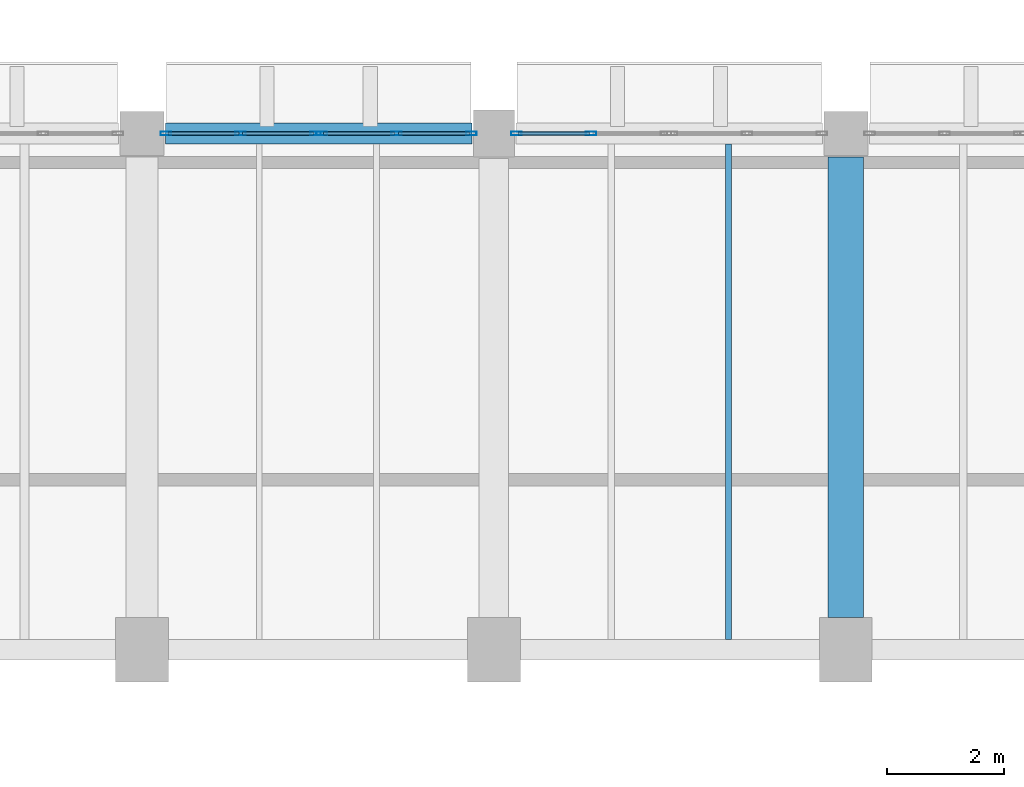
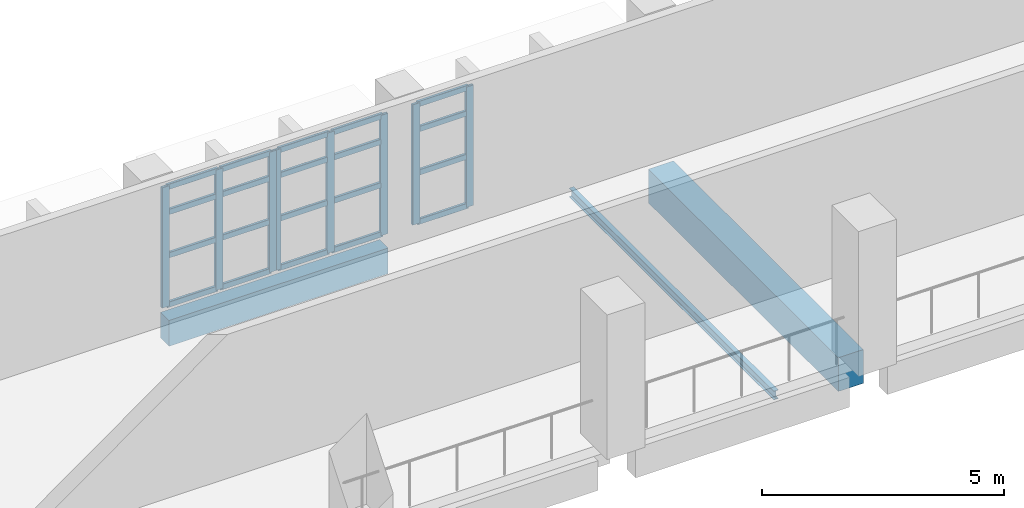
# One storey, part 41 of 80: 28 members, 3 beams, 3 elements without a shape of their own.
"""IFC4 building model written with IfcOpenShell, lengths in metres."""

from ifc_helpers import new_model, si_unit, direction, frame, origin, origin_2d, place, context, subcontext, project, spatial, rectangle, hollow_rectangle, i_section, extrude, material, material_profile, profile_set, type_object, element, aggregate, save


model = new_model("IFC4")

# Units and contexts
model_context = context("Model", 3, precision=1e-05, world=origin(), true_north=direction((0.0, 1.0)))
body_context = subcontext(model_context, "Body", "Model", "MODEL_VIEW")
ifc_project = project(units=[si_unit("LENGTHUNIT", "METRE"), si_unit("AREAUNIT", "SQUARE_METRE"), si_unit("VOLUMEUNIT", "CUBIC_METRE"), si_unit("PLANEANGLEUNIT", "RADIAN"), si_unit("MASSUNIT", "GRAM", prefix="KILO")], contexts=[model_context])

# Site, building, storey
site_placement = place(None, origin())
site = spatial("IfcSite", under=ifc_project, at=site_placement, CompositionType="ELEMENT")
building_placement = place(site_placement, origin())
building = spatial("IfcBuilding", under=site, at=building_placement, Name="Varnakota Cinema and Media Centre", CompositionType="ELEMENT")
storey_placement = place(building_placement, frame((0.0, 0.0, 4.5)))
storey = spatial("IfcBuildingStorey", under=building, at=storey_placement, Name="L01", CompositionType="ELEMENT", Elevation=4.5)

# Beams
ifc_material_1 = material(Name="Concrete M35", Category="concrete")
ifc_material_profile_1 = material_profile(ifc_material_1, rectangle(XDim=0.60009765625, YDim=0.85009765625, at=origin_2d()), Name="RCB 600x850")
ifc_profile_set_1 = profile_set([ifc_material_profile_1], Name="Concrete M35")
beam_type_1 = type_object("IfcBeamType", Name="BM-RC-600x850", PredefinedType="BEAM", material=ifc_profile_set_1)
beam_1_placement = place(storey_placement, frame((123.0, 35.75, -0.675048828125), z_axis=(0.0, 1.0, 0.0), x_axis=(-1.0, 0.0, 0.0)))
element("IfcBeam", 1, at=beam_1_placement, inside=storey, type_object=beam_type_1, Name="L01 girder T/5-6", PredefinedType="BEAM", context=body_context, shape_type="SweptSolid", body=[
    extrude(rectangle(XDim=0.60009765625, YDim=0.85009765625, at=origin_2d()), origin(), (0.0, 0.0, 1.0), 7.85009765625),
])
ifc_material_2 = material(Name="Concrete M40", Category="concrete")
ifc_material_profile_2 = material_profile(ifc_material_2, rectangle(XDim=0.35009765625, YDim=0.64990234375, at=origin_2d()), Name="RCB 350x650")
ifc_profile_set_2 = profile_set([ifc_material_profile_2], Name="Concrete M40")
beam_type_2 = type_object("IfcBeamType", Name="BM-SP-350x650", PredefinedType="SPANDREL", material=ifc_profile_set_2)
beam_2_placement = place(storey_placement, frame((111.39990234375, 44.0, -0.574951171875), z_axis=(1.0, 0.0, 0.0), x_axis=(0.0, 1.0, 0.0)))
element("IfcBeam", 2, at=beam_2_placement, inside=storey, type_object=beam_type_2, Name="L01 girder R-S/6", PredefinedType="SPANDREL", context=body_context, shape_type="SweptSolid", body=[
    extrude(rectangle(XDim=0.35009765625, YDim=0.64990234375, at=origin_2d()), origin(), (0.0, 0.0, 1.0), 5.22509765625),
])
ifc_material_3 = material(Name="Structural steel Grade 350 (E350)", Category="steel")
ifc_material_profile_3 = material_profile(ifc_material_3, i_section(OverallWidth=0.110107421875, OverallDepth=0.22509765625, WebThickness=0.006591796875, FlangeThickness=0.01171875, FilletRadius=0.011962890625, at=origin_2d()), Name="ISMB 225")
ifc_profile_set_3 = profile_set([ifc_material_profile_3], Name="Structural steel Grade 350 (E350)")
beam_type_3 = type_object("IfcBeamType", Name="BM-ST-ISMB225", PredefinedType="JOIST", material=ifc_profile_set_3)
beam_3_placement = place(storey_placement, frame((121.0, 35.375, -0.362548828125), z_axis=(0.0, 1.0, 0.0), x_axis=(-1.0, 0.0, 0.0)))
element("IfcBeam", 3, at=beam_3_placement, inside=storey, type_object=beam_type_3, Name="L01 steel joist S-T/5-6 #2", PredefinedType="JOIST", context=body_context, shape_type="SweptSolid", body=[
    extrude(i_section(OverallWidth=0.110107421875, OverallDepth=0.22509765625, WebThickness=0.006591796875, FlangeThickness=0.01171875, FilletRadius=0.011962890625, at=origin_2d()), origin(), (0.0, 0.0, 1.0), 8.449951171875),
])

# Curtain wall, members
ifc_material_4 = material(Name="Thermally broken anodised aluminium AW-6063", Category="aluminium")
curtain_wall_type = type_object("IfcCurtainWallType", Name="CW-STD-262x304", PredefinedType="USERDEFINED", material=ifc_material_4)
curtain_wall_1_placement = place(storey_placement, origin())
curtain_wall_1 = element("IfcCurtainWall", 4, at=curtain_wall_1_placement, inside=storey, type_object=curtain_wall_type, Name="L01 curtain wall CW-L01-V1-N-07-1", ObjectType="UNITISED CURTAIN WALL", PredefinedType="USERDEFINED")
ifc_material_5 = material(Name="Thermally broken anodised aluminium AW-6063", Category="aluminium")
ifc_material_profile_4 = material_profile(ifc_material_5, hollow_rectangle(XDim=0.06494140625, YDim=0.179931640625, WallThickness=0.00390625, InnerFilletRadius=0.00390625, OuterFilletRadius=0.008056640625, at=origin_2d()), Name="AL-MULLION 180x65x4")
ifc_profile_set_4 = profile_set([ifc_material_profile_4], Name="Thermally broken anodised aluminium AW-6063")
member_type_1 = type_object("IfcMemberType", Name="CWM-AL-180", PredefinedType="MULLION", material=ifc_profile_set_4)
member_1_placement = place(storey_placement, frame((111.407470703125, 44.0, 0.0), z_axis=(0.0, 0.0, 1.0), x_axis=(0.0, 1.0, 0.0)))
member_1 = element("IfcMember", 5, at=member_1_placement, type_object=member_type_1, Name="CW17 mullion 1", PredefinedType="MULLION", context=body_context, shape_type="SweptSolid", body=[
    extrude(hollow_rectangle(XDim=0.06494140625, YDim=0.179931640625, WallThickness=0.00390625, InnerFilletRadius=0.00390625, OuterFilletRadius=0.008056640625, at=origin_2d()), origin(), (0.0, 0.0, 1.0), 3.034912109375),
])
member_2_placement = place(storey_placement, frame((112.683837890625, 44.0, 0.0), z_axis=(0.0, 0.0, 1.0), x_axis=(0.0, 1.0, 0.0)))
member_2 = element("IfcMember", 6, at=member_2_placement, type_object=member_type_1, Name="CW17 mullion 2", PredefinedType="MULLION", context=body_context, shape_type="SweptSolid", body=[
    extrude(hollow_rectangle(XDim=0.06494140625, YDim=0.179931640625, WallThickness=0.00390625, InnerFilletRadius=0.00390625, OuterFilletRadius=0.008056640625, at=origin_2d()), origin(), (0.0, 0.0, 1.0), 3.034912109375),
])
member_3_placement = place(storey_placement, frame((113.9599609375, 44.0, 0.0), z_axis=(0.0, 0.0, 1.0), x_axis=(0.0, 1.0, 0.0)))
member_3 = element("IfcMember", 7, at=member_3_placement, type_object=member_type_1, Name="CW17 mullion 3", PredefinedType="MULLION", context=body_context, shape_type="SweptSolid", body=[
    extrude(hollow_rectangle(XDim=0.06494140625, YDim=0.179931640625, WallThickness=0.00390625, InnerFilletRadius=0.00390625, OuterFilletRadius=0.008056640625, at=origin_2d()), origin(), (0.0, 0.0, 1.0), 3.034912109375),
])

curtain_wall_2_placement = place(storey_placement, origin())
curtain_wall_2 = element("IfcCurtainWall", 8, at=curtain_wall_2_placement, inside=storey, type_object=curtain_wall_type, Name="L01 curtain wall CW-L01-V1-N-07-2", ObjectType="UNITISED CURTAIN WALL", PredefinedType="USERDEFINED")
member_4_placement = place(storey_placement, frame((114.06494140625, 44.0, 0.0), z_axis=(0.0, 0.0, 1.0), x_axis=(0.0, 1.0, 0.0)))
member_4 = element("IfcMember", 9, at=member_4_placement, type_object=member_type_1, Name="CW17 mullion 1", PredefinedType="MULLION", context=body_context, shape_type="SweptSolid", body=[
    extrude(hollow_rectangle(XDim=0.06494140625, YDim=0.179931640625, WallThickness=0.00390625, InnerFilletRadius=0.00390625, OuterFilletRadius=0.008056640625, at=origin_2d()), origin(), (0.0, 0.0, 1.0), 3.034912109375),
])
member_5_placement = place(storey_placement, frame((115.34130859375, 44.0, 0.0), z_axis=(0.0, 0.0, 1.0), x_axis=(0.0, 1.0, 0.0)))
member_5 = element("IfcMember", 10, at=member_5_placement, type_object=member_type_1, Name="CW17 mullion 2", PredefinedType="MULLION", context=body_context, shape_type="SweptSolid", body=[
    extrude(hollow_rectangle(XDim=0.06494140625, YDim=0.179931640625, WallThickness=0.00390625, InnerFilletRadius=0.00390625, OuterFilletRadius=0.008056640625, at=origin_2d()), origin(), (0.0, 0.0, 1.0), 3.034912109375),
])
member_6_placement = place(storey_placement, frame((116.617431640625, 44.0, 0.0), z_axis=(0.0, 0.0, 1.0), x_axis=(0.0, 1.0, 0.0)))
member_6 = element("IfcMember", 11, at=member_6_placement, type_object=member_type_1, Name="CW17 mullion 3", PredefinedType="MULLION", context=body_context, shape_type="SweptSolid", body=[
    extrude(hollow_rectangle(XDim=0.06494140625, YDim=0.179931640625, WallThickness=0.00390625, InnerFilletRadius=0.00390625, OuterFilletRadius=0.008056640625, at=origin_2d()), origin(), (0.0, 0.0, 1.0), 3.034912109375),
])

curtain_wall_3_placement = place(storey_placement, origin())
curtain_wall_3 = element("IfcCurtainWall", 12, at=curtain_wall_3_placement, inside=storey, type_object=curtain_wall_type, Name="L01 curtain wall CW-L01-V1-N-08-1", ObjectType="UNITISED CURTAIN WALL", PredefinedType="USERDEFINED")
member_7_placement = place(storey_placement, frame((117.382568359375, 44.0, 0.0), z_axis=(0.0, 0.0, 1.0), x_axis=(0.0, 1.0, 0.0)))
member_7 = element("IfcMember", 13, at=member_7_placement, type_object=member_type_1, Name="CW17 mullion 1", PredefinedType="MULLION", context=body_context, shape_type="SweptSolid", body=[
    extrude(hollow_rectangle(XDim=0.06494140625, YDim=0.179931640625, WallThickness=0.00390625, InnerFilletRadius=0.00390625, OuterFilletRadius=0.008056640625, at=origin_2d()), origin(), (0.0, 0.0, 1.0), 3.034912109375),
])
member_8_placement = place(storey_placement, frame((118.65869140625, 44.0, 0.0), z_axis=(0.0, 0.0, 1.0), x_axis=(0.0, 1.0, 0.0)))
member_8 = element("IfcMember", 14, at=member_8_placement, type_object=member_type_1, Name="CW17 mullion 2", PredefinedType="MULLION", context=body_context, shape_type="SweptSolid", body=[
    extrude(hollow_rectangle(XDim=0.06494140625, YDim=0.179931640625, WallThickness=0.00390625, InnerFilletRadius=0.00390625, OuterFilletRadius=0.008056640625, at=origin_2d()), origin(), (0.0, 0.0, 1.0), 3.034912109375),
])

# Member
ifc_material_6 = material(Name="Thermally broken anodised aluminium AW-6063", Category="aluminium")
ifc_material_profile_5 = material_profile(ifc_material_6, hollow_rectangle(XDim=0.06494140625, YDim=0.139892578125, WallThickness=0.00390625, InnerFilletRadius=0.00390625, OuterFilletRadius=0.008056640625, at=origin_2d()), Name="AL-TRANSOM 140x65x4")
ifc_profile_set_5 = profile_set([ifc_material_profile_5], Name="Thermally broken anodised aluminium AW-6063")
member_type_2 = type_object("IfcMemberType", Name="CWT-AL-140", PredefinedType="USERDEFINED", material=ifc_profile_set_5)
member_9_placement = place(storey_placement, frame((111.43994140625, 44.0, 0.032470703125), z_axis=(1.0, 0.0, 0.0), x_axis=(0.0, 1.0, 0.0)))
member_9 = element("IfcMember", 15, at=member_9_placement, type_object=member_type_2, Name="CW17 transom 1.1", ObjectType="TRANSOM", PredefinedType="USERDEFINED", context=body_context, shape_type="SweptSolid", body=[
    extrude(hollow_rectangle(XDim=0.06494140625, YDim=0.139892578125, WallThickness=0.00390625, InnerFilletRadius=0.00390625, OuterFilletRadius=0.008056640625, at=origin_2d()), origin(), (0.0, 0.0, 1.0), 1.21142578125),
])

member_10_placement = place(storey_placement, frame((111.43994140625, 44.0, 1.274658203125), z_axis=(1.0, 0.0, 0.0), x_axis=(0.0, 1.0, 0.0)))
member_10 = element("IfcMember", 16, at=member_10_placement, type_object=member_type_2, Name="CW17 transom 1.2", ObjectType="TRANSOM", PredefinedType="USERDEFINED", context=body_context, shape_type="SweptSolid", body=[
    extrude(hollow_rectangle(XDim=0.06494140625, YDim=0.139892578125, WallThickness=0.00390625, InnerFilletRadius=0.00390625, OuterFilletRadius=0.008056640625, at=origin_2d()), origin(), (0.0, 0.0, 1.0), 1.21142578125),
])

member_11_placement = place(storey_placement, frame((111.43994140625, 44.0, 2.3671875), z_axis=(1.0, 0.0, 0.0), x_axis=(0.0, 1.0, 0.0)))
member_11 = element("IfcMember", 17, at=member_11_placement, type_object=member_type_2, Name="CW17 transom 1.3", ObjectType="TRANSOM", PredefinedType="USERDEFINED", context=body_context, shape_type="SweptSolid", body=[
    extrude(hollow_rectangle(XDim=0.06494140625, YDim=0.139892578125, WallThickness=0.00390625, InnerFilletRadius=0.00390625, OuterFilletRadius=0.008056640625, at=origin_2d()), origin(), (0.0, 0.0, 1.0), 1.21142578125),
])

member_12_placement = place(storey_placement, frame((111.43994140625, 44.0, 3.00244140625), z_axis=(1.0, 0.0, 0.0), x_axis=(0.0, 1.0, 0.0)))
member_12 = element("IfcMember", 18, at=member_12_placement, type_object=member_type_2, Name="CW17 transom 1.4", ObjectType="TRANSOM", PredefinedType="USERDEFINED", context=body_context, shape_type="SweptSolid", body=[
    extrude(hollow_rectangle(XDim=0.06494140625, YDim=0.139892578125, WallThickness=0.00390625, InnerFilletRadius=0.00390625, OuterFilletRadius=0.008056640625, at=origin_2d()), origin(), (0.0, 0.0, 1.0), 1.21142578125),
])

member_13_placement = place(storey_placement, frame((112.71630859375, 44.0, 0.032470703125), z_axis=(1.0, 0.0, 0.0), x_axis=(0.0, 1.0, 0.0)))
member_13 = element("IfcMember", 19, at=member_13_placement, type_object=member_type_2, Name="CW17 transom 2.1", ObjectType="TRANSOM", PredefinedType="USERDEFINED", context=body_context, shape_type="SweptSolid", body=[
    extrude(hollow_rectangle(XDim=0.06494140625, YDim=0.139892578125, WallThickness=0.00390625, InnerFilletRadius=0.00390625, OuterFilletRadius=0.008056640625, at=origin_2d()), origin(), (0.0, 0.0, 1.0), 1.211181640625),
])

member_14_placement = place(storey_placement, frame((112.71630859375, 44.0, 1.274658203125), z_axis=(1.0, 0.0, 0.0), x_axis=(0.0, 1.0, 0.0)))
member_14 = element("IfcMember", 20, at=member_14_placement, type_object=member_type_2, Name="CW17 transom 2.2", ObjectType="TRANSOM", PredefinedType="USERDEFINED", context=body_context, shape_type="SweptSolid", body=[
    extrude(hollow_rectangle(XDim=0.06494140625, YDim=0.139892578125, WallThickness=0.00390625, InnerFilletRadius=0.00390625, OuterFilletRadius=0.008056640625, at=origin_2d()), origin(), (0.0, 0.0, 1.0), 1.211181640625),
])

member_15_placement = place(storey_placement, frame((112.71630859375, 44.0, 2.3671875), z_axis=(1.0, 0.0, 0.0), x_axis=(0.0, 1.0, 0.0)))
member_15 = element("IfcMember", 21, at=member_15_placement, type_object=member_type_2, Name="CW17 transom 2.3", ObjectType="TRANSOM", PredefinedType="USERDEFINED", context=body_context, shape_type="SweptSolid", body=[
    extrude(hollow_rectangle(XDim=0.06494140625, YDim=0.139892578125, WallThickness=0.00390625, InnerFilletRadius=0.00390625, OuterFilletRadius=0.008056640625, at=origin_2d()), origin(), (0.0, 0.0, 1.0), 1.211181640625),
])

member_16_placement = place(storey_placement, frame((112.71630859375, 44.0, 3.00244140625), z_axis=(1.0, 0.0, 0.0), x_axis=(0.0, 1.0, 0.0)))
member_16 = element("IfcMember", 22, at=member_16_placement, type_object=member_type_2, Name="CW17 transom 2.4", ObjectType="TRANSOM", PredefinedType="USERDEFINED", context=body_context, shape_type="SweptSolid", body=[
    extrude(hollow_rectangle(XDim=0.06494140625, YDim=0.139892578125, WallThickness=0.00390625, InnerFilletRadius=0.00390625, OuterFilletRadius=0.008056640625, at=origin_2d()), origin(), (0.0, 0.0, 1.0), 1.211181640625),
])

aggregate(curtain_wall_1, [member_1, member_2, member_3, member_9, member_10, member_11, member_12, member_13, member_14, member_15, member_16])

member_17_placement = place(storey_placement, frame((114.097412109375, 44.0, 0.032470703125), z_axis=(1.0, 0.0, 0.0), x_axis=(0.0, 1.0, 0.0)))
member_17 = element("IfcMember", 23, at=member_17_placement, type_object=member_type_2, Name="CW17 transom 1.1", ObjectType="TRANSOM", PredefinedType="USERDEFINED", context=body_context, shape_type="SweptSolid", body=[
    extrude(hollow_rectangle(XDim=0.06494140625, YDim=0.139892578125, WallThickness=0.00390625, InnerFilletRadius=0.00390625, OuterFilletRadius=0.008056640625, at=origin_2d()), origin(), (0.0, 0.0, 1.0), 1.21142578125),
])

member_18_placement = place(storey_placement, frame((114.097412109375, 44.0, 1.274658203125), z_axis=(1.0, 0.0, 0.0), x_axis=(0.0, 1.0, 0.0)))
member_18 = element("IfcMember", 24, at=member_18_placement, type_object=member_type_2, Name="CW17 transom 1.2", ObjectType="TRANSOM", PredefinedType="USERDEFINED", context=body_context, shape_type="SweptSolid", body=[
    extrude(hollow_rectangle(XDim=0.06494140625, YDim=0.139892578125, WallThickness=0.00390625, InnerFilletRadius=0.00390625, OuterFilletRadius=0.008056640625, at=origin_2d()), origin(), (0.0, 0.0, 1.0), 1.21142578125),
])

member_19_placement = place(storey_placement, frame((114.097412109375, 44.0, 2.3671875), z_axis=(1.0, 0.0, 0.0), x_axis=(0.0, 1.0, 0.0)))
member_19 = element("IfcMember", 25, at=member_19_placement, type_object=member_type_2, Name="CW17 transom 1.3", ObjectType="TRANSOM", PredefinedType="USERDEFINED", context=body_context, shape_type="SweptSolid", body=[
    extrude(hollow_rectangle(XDim=0.06494140625, YDim=0.139892578125, WallThickness=0.00390625, InnerFilletRadius=0.00390625, OuterFilletRadius=0.008056640625, at=origin_2d()), origin(), (0.0, 0.0, 1.0), 1.21142578125),
])

member_20_placement = place(storey_placement, frame((114.097412109375, 44.0, 3.00244140625), z_axis=(1.0, 0.0, 0.0), x_axis=(0.0, 1.0, 0.0)))
member_20 = element("IfcMember", 26, at=member_20_placement, type_object=member_type_2, Name="CW17 transom 1.4", ObjectType="TRANSOM", PredefinedType="USERDEFINED", context=body_context, shape_type="SweptSolid", body=[
    extrude(hollow_rectangle(XDim=0.06494140625, YDim=0.139892578125, WallThickness=0.00390625, InnerFilletRadius=0.00390625, OuterFilletRadius=0.008056640625, at=origin_2d()), origin(), (0.0, 0.0, 1.0), 1.21142578125),
])

member_21_placement = place(storey_placement, frame((115.373779296875, 44.0, 0.032470703125), z_axis=(1.0, 0.0, 0.0), x_axis=(0.0, 1.0, 0.0)))
member_21 = element("IfcMember", 27, at=member_21_placement, type_object=member_type_2, Name="CW17 transom 2.1", ObjectType="TRANSOM", PredefinedType="USERDEFINED", context=body_context, shape_type="SweptSolid", body=[
    extrude(hollow_rectangle(XDim=0.06494140625, YDim=0.139892578125, WallThickness=0.00390625, InnerFilletRadius=0.00390625, OuterFilletRadius=0.008056640625, at=origin_2d()), origin(), (0.0, 0.0, 1.0), 1.211181640625),
])

member_22_placement = place(storey_placement, frame((115.373779296875, 44.0, 1.274658203125), z_axis=(1.0, 0.0, 0.0), x_axis=(0.0, 1.0, 0.0)))
member_22 = element("IfcMember", 28, at=member_22_placement, type_object=member_type_2, Name="CW17 transom 2.2", ObjectType="TRANSOM", PredefinedType="USERDEFINED", context=body_context, shape_type="SweptSolid", body=[
    extrude(hollow_rectangle(XDim=0.06494140625, YDim=0.139892578125, WallThickness=0.00390625, InnerFilletRadius=0.00390625, OuterFilletRadius=0.008056640625, at=origin_2d()), origin(), (0.0, 0.0, 1.0), 1.211181640625),
])

member_23_placement = place(storey_placement, frame((115.373779296875, 44.0, 2.3671875), z_axis=(1.0, 0.0, 0.0), x_axis=(0.0, 1.0, 0.0)))
member_23 = element("IfcMember", 29, at=member_23_placement, type_object=member_type_2, Name="CW17 transom 2.3", ObjectType="TRANSOM", PredefinedType="USERDEFINED", context=body_context, shape_type="SweptSolid", body=[
    extrude(hollow_rectangle(XDim=0.06494140625, YDim=0.139892578125, WallThickness=0.00390625, InnerFilletRadius=0.00390625, OuterFilletRadius=0.008056640625, at=origin_2d()), origin(), (0.0, 0.0, 1.0), 1.211181640625),
])

member_24_placement = place(storey_placement, frame((115.373779296875, 44.0, 3.00244140625), z_axis=(1.0, 0.0, 0.0), x_axis=(0.0, 1.0, 0.0)))
member_24 = element("IfcMember", 30, at=member_24_placement, type_object=member_type_2, Name="CW17 transom 2.4", ObjectType="TRANSOM", PredefinedType="USERDEFINED", context=body_context, shape_type="SweptSolid", body=[
    extrude(hollow_rectangle(XDim=0.06494140625, YDim=0.139892578125, WallThickness=0.00390625, InnerFilletRadius=0.00390625, OuterFilletRadius=0.008056640625, at=origin_2d()), origin(), (0.0, 0.0, 1.0), 1.211181640625),
])

aggregate(curtain_wall_2, [member_4, member_5, member_6, member_17, member_18, member_19, member_20, member_21, member_22, member_23, member_24])

member_25_placement = place(storey_placement, frame((117.4150390625, 44.0, 0.032470703125), z_axis=(1.0, 0.0, 0.0), x_axis=(0.0, 1.0, 0.0)))
member_25 = element("IfcMember", 31, at=member_25_placement, type_object=member_type_2, Name="CW17 transom 1.1", ObjectType="TRANSOM", PredefinedType="USERDEFINED", context=body_context, shape_type="SweptSolid", body=[
    extrude(hollow_rectangle(XDim=0.06494140625, YDim=0.139892578125, WallThickness=0.00390625, InnerFilletRadius=0.00390625, OuterFilletRadius=0.008056640625, at=origin_2d()), origin(), (0.0, 0.0, 1.0), 1.211181640625),
])

member_26_placement = place(storey_placement, frame((117.4150390625, 44.0, 1.274658203125), z_axis=(1.0, 0.0, 0.0), x_axis=(0.0, 1.0, 0.0)))
member_26 = element("IfcMember", 32, at=member_26_placement, type_object=member_type_2, Name="CW17 transom 1.2", ObjectType="TRANSOM", PredefinedType="USERDEFINED", context=body_context, shape_type="SweptSolid", body=[
    extrude(hollow_rectangle(XDim=0.06494140625, YDim=0.139892578125, WallThickness=0.00390625, InnerFilletRadius=0.00390625, OuterFilletRadius=0.008056640625, at=origin_2d()), origin(), (0.0, 0.0, 1.0), 1.211181640625),
])

member_27_placement = place(storey_placement, frame((117.4150390625, 44.0, 2.3671875), z_axis=(1.0, 0.0, 0.0), x_axis=(0.0, 1.0, 0.0)))
member_27 = element("IfcMember", 33, at=member_27_placement, type_object=member_type_2, Name="CW17 transom 1.3", ObjectType="TRANSOM", PredefinedType="USERDEFINED", context=body_context, shape_type="SweptSolid", body=[
    extrude(hollow_rectangle(XDim=0.06494140625, YDim=0.139892578125, WallThickness=0.00390625, InnerFilletRadius=0.00390625, OuterFilletRadius=0.008056640625, at=origin_2d()), origin(), (0.0, 0.0, 1.0), 1.211181640625),
])

member_28_placement = place(storey_placement, frame((117.4150390625, 44.0, 3.00244140625), z_axis=(1.0, 0.0, 0.0), x_axis=(0.0, 1.0, 0.0)))
member_28 = element("IfcMember", 34, at=member_28_placement, type_object=member_type_2, Name="CW17 transom 1.4", ObjectType="TRANSOM", PredefinedType="USERDEFINED", context=body_context, shape_type="SweptSolid", body=[
    extrude(hollow_rectangle(XDim=0.06494140625, YDim=0.139892578125, WallThickness=0.00390625, InnerFilletRadius=0.00390625, OuterFilletRadius=0.008056640625, at=origin_2d()), origin(), (0.0, 0.0, 1.0), 1.211181640625),
])

aggregate(curtain_wall_3, [member_7, member_8, member_25, member_26, member_27, member_28])

save(model, "model.ifc")
